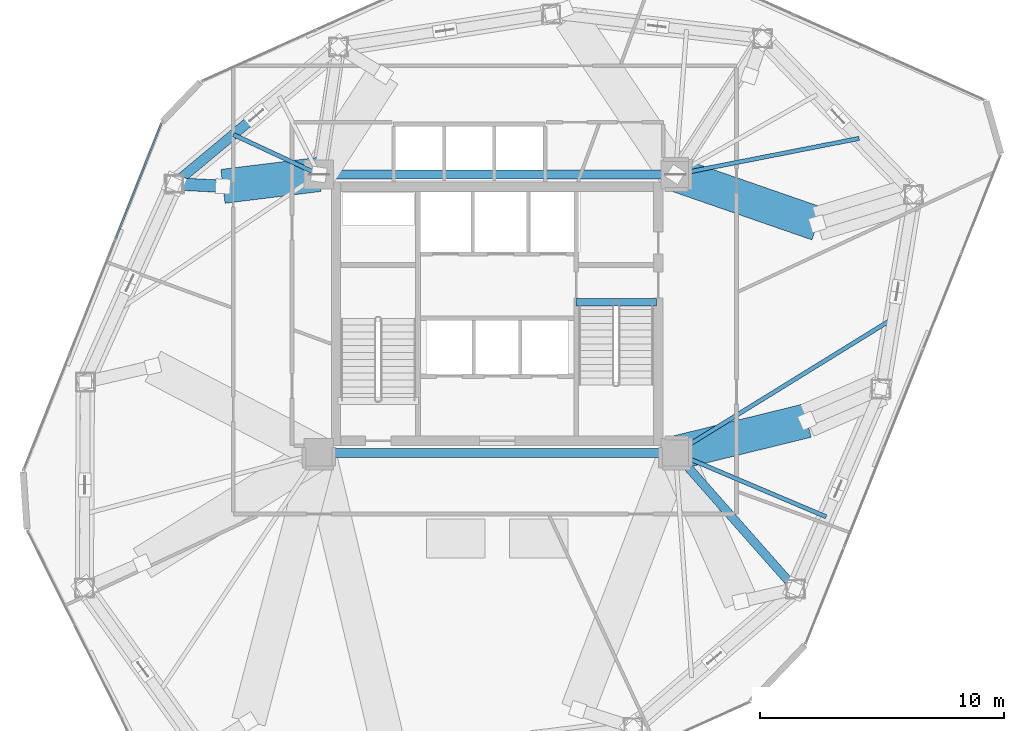
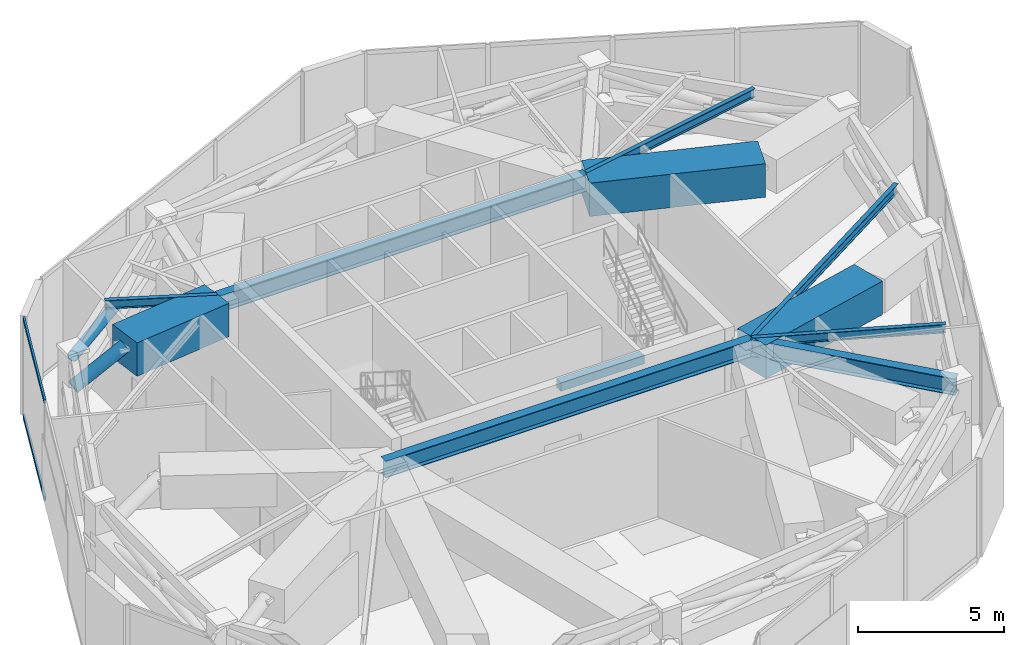
# One storey, part 9 of 21: 11 beams, 4 members, 1 element without a shape of its own.
"""IFC4 building model written with IfcOpenShell, lengths in metres."""

from ifc_helpers import new_model, si_unit, direction, frame, origin, origin_2d, place, context, subcontext, project, spatial, rectangle, hollow_rectangle, hollow_circle, i_section, extrude, source, transform, mapped, material, layer, layer_set, material_profile, profile_set, type_object, type_shapes, element, aggregate, save


model = new_model("IFC4")

# Units and contexts
model_context = context("Model", 3, precision=1e-05, world=origin(), true_north=direction((0.0, 1.0)))
body_context = subcontext(model_context, "Body", "Model", "MODEL_VIEW")
ifc_project = project(units=[si_unit("LENGTHUNIT", "METRE"), si_unit("AREAUNIT", "SQUARE_METRE"), si_unit("VOLUMEUNIT", "CUBIC_METRE"), si_unit("PLANEANGLEUNIT", "RADIAN"), si_unit("MASSUNIT", "GRAM", prefix="KILO")], contexts=[model_context])

# Site, building, storey
site_placement = place(None, origin())
site = spatial("IfcSite", under=ifc_project, at=site_placement, CompositionType="ELEMENT")
building_placement = place(site_placement, origin())
building = spatial("IfcBuilding", under=site, at=building_placement, Name="Talar Marvaseh", CompositionType="ELEMENT")
storey_placement = place(building_placement, frame((0.0, 0.0, 162.39990234375)))
storey = spatial("IfcBuildingStorey", under=building, at=storey_placement, Name="L42", CompositionType="ELEMENT", Elevation=162.39990234375)

# Beams
ifc_material_1 = material(Name="Concrete C40/50", Category="concrete")
ifc_material_profile_1 = material_profile(ifc_material_1, rectangle(XDim=0.300048828125, YDim=0.360107421875, at=origin_2d()), Name="RC300x360")
ifc_profile_set_1 = profile_set([ifc_material_profile_1], Name="Concrete C40/50")
beam_type_1 = type_object("IfcBeamType", Name="Concrete Stair Landing Trimmer Beam RC300x360", PredefinedType="SPANDREL", material=ifc_profile_set_1)
beam_1_placement = place(storey_placement, frame((29.219970703125, 31.669921875, -0.179931640625), z_axis=(1.0, 0.0, 0.0), x_axis=(0.0, 1.0, 0.0)))
element("IfcBeam", 1, at=beam_1_placement, inside=storey, type_object=beam_type_1, Name="L42 ST-2 Stair Nosing Trimmer Beam", PredefinedType="SPANDREL", context=body_context, shape_type="SweptSolid", body=[
    extrude(rectangle(XDim=0.300048828125, YDim=0.360107421875, at=origin_2d()), origin(), (0.0, 0.0, 1.0), 3.300048828125),
])
ifc_material_2 = material(Name="Concrete C70/85", Category="concrete")
ifc_material_profile_2 = material_profile(ifc_material_2, rectangle(XDim=1.39990234375, YDim=1.39990234375, at=origin_2d()), Name="RC1400x1400")
ifc_profile_set_2 = profile_set([ifc_material_profile_2], Name="Concrete C70/85")
beam_type_2 = type_object("IfcBeamType", Name="Setback Deep Concrete Transfer Girder RC1400x1400", PredefinedType="BEAM", material=ifc_profile_set_2)
beam_2_placement = place(storey_placement, frame((39.113037109375, 34.884033203125, 3.4501953125), z_axis=(-0.94480098975, 0.327644761544, 0.0), x_axis=(-0.327644761544, -0.94480098975, 0.0)))
element("IfcBeam", 2, at=beam_2_placement, inside=storey, type_object=beam_type_2, Name="L42 Setback Backspan Transfer Girder 3", PredefinedType="BEAM", context=body_context, shape_type="SweptSolid", body=[
    extrude(rectangle(XDim=1.39990234375, YDim=1.39990234375, at=origin_2d()), origin(), (0.0, 0.0, 1.0), 6.152587890625),
])
beam_3_placement = place(storey_placement, frame((38.68896484375, 26.823974609375, 3.4501953125), z_axis=(-0.971120507527, -0.238589521692, 0.0), x_axis=(0.238589521692, -0.971120507527, 0.0)))
element("IfcBeam", 3, at=beam_3_placement, inside=storey, type_object=beam_type_2, Name="L42 Setback Backspan Transfer Girder 4", PredefinedType="BEAM", context=body_context, shape_type="SweptSolid", body=[
    extrude(rectangle(XDim=1.39990234375, YDim=1.39990234375, at=origin_2d()), origin(), (0.0, 0.0, 1.0), 5.549072265625),
])
beam_4_placement = place(storey_placement, frame((14.77294921875, 36.416015625, 3.4501953125), z_axis=(0.99249373738, 0.122295467049, 0.0), x_axis=(-0.122295467049, 0.99249373738, 0.0)))
element("IfcBeam", 4, at=beam_4_placement, inside=storey, type_object=beam_type_2, Name="L42 Setback Backspan Transfer Girder 11", PredefinedType="BEAM", context=body_context, shape_type="SweptSolid", body=[
    extrude(rectangle(XDim=1.39990234375, YDim=1.39990234375, at=origin_2d()), origin(), (0.0, 0.0, 1.0), 3.956787109375),
])
ifc_material_3 = material(Name="Steel S355", Category="steel")
ifc_material_profile_3 = material_profile(ifc_material_3, i_section(OverallWidth=0.35498046875, OverallDepth=0.695068359375, WebThickness=0.015380859375, FlangeThickness=0.02490234375, at=origin_2d()), Name="W690x217")
ifc_profile_set_3 = profile_set([ifc_material_profile_3], Name="Steel S355")
beam_type_3 = type_object("IfcBeamType", Name="Zone 2 Radial Floor Girder W690x217", PredefinedType="BEAM", material=ifc_profile_set_3)
for number, where, z_axis, x_axis, name in (
    (5, (18.699951171875, 25.5, 3.802490234375), (1.0, 0.0, 0.0), (0.0, 1.0, 0.0), "L42 Zone 2 Radial Floor Girder W690x217"),
    (6, (18.699951171875, 36.89990234375, 3.802490234375), (1.0, 0.0, 0.0), (0.0, 1.0, 0.0), "L42 Zone 2 Radial Floor Girder W690x217"),
):
    element("IfcBeam", number, at=place(storey_placement, frame(where, z_axis=z_axis, x_axis=x_axis)), inside=storey, type_object=beam_type_3, Name=name, PredefinedType="BEAM", context=body_context, shape_type="SweptSolid", body=[
        extrude(i_section(OverallWidth=0.35498046875, OverallDepth=0.695068359375, WebThickness=0.015380859375, FlangeThickness=0.02490234375, at=origin_2d()), origin(), (0.0, 0.0, 1.0), 14.60009765625),
    ])
beam_5_placement = place(storey_placement, frame((38.2060546875, 19.94091796875, 3.802490234375), z_axis=(-0.661692423388, 0.749775390921, 0.0), x_axis=(-0.749775390921, -0.661692423388, 0.0)))
element("IfcBeam", 7, at=beam_5_placement, inside=storey, type_object=beam_type_3, Name="L42 Zone 2 Radial Floor Girder W690x217", PredefinedType="BEAM", context=body_context, shape_type="SweptSolid", body=[
    extrude(i_section(OverallWidth=0.35498046875, OverallDepth=0.695068359375, WebThickness=0.015380859375, FlangeThickness=0.02490234375, at=origin_2d()), origin(), (0.0, 0.0, 1.0), 7.414306640625),
])
ifc_material_profile_4 = material_profile(ifc_material_3, i_section(OverallWidth=0.172119140625, OverallDepth=0.35791015625, WebThickness=0.0078125, FlangeThickness=0.01318359375, at=origin_2d()), Name="W360x57")
ifc_profile_set_4 = profile_set([ifc_material_profile_4], Name="Steel S355")
beam_type_4 = type_object("IfcBeamType", Name="Zone 2 Secondary Floor Joist W360x57", PredefinedType="JOIST", material=ifc_profile_set_4)
beam_6_placement = place(storey_placement, frame((40.81982421875, 38.378173828125, 3.97119140625), z_axis=(-0.981219867447, -0.192892643011, 0.0), x_axis=(0.192892643011, -0.981219867447, 0.0)))
element("IfcBeam", 8, at=beam_6_placement, inside=storey, type_object=beam_type_4, Name="L42 Zone 2 Secondary Floor Joist W360x57", PredefinedType="JOIST", context=body_context, shape_type="SweptSolid", body=[
    extrude(i_section(OverallWidth=0.172119140625, OverallDepth=0.35791015625, WebThickness=0.0078125, FlangeThickness=0.01318359375, at=origin_2d()), origin(), (0.0, 0.0, 1.0), 7.663818359375),
])
beam_7_placement = place(storey_placement, frame((42.189697265625, 30.9892578125, 3.97119140625), z_axis=(-0.850858217646, -0.525395368712, 0.0), x_axis=(0.525395368712, -0.850858217646, 0.0)))
element("IfcBeam", 9, at=beam_7_placement, inside=storey, type_object=beam_type_4, Name="L42 Zone 2 Secondary Floor Joist W360x57", PredefinedType="JOIST", context=body_context, shape_type="SweptSolid", body=[
    extrude(i_section(OverallWidth=0.172119140625, OverallDepth=0.35791015625, WebThickness=0.0078125, FlangeThickness=0.01318359375, at=origin_2d()), origin(), (0.0, 0.0, 1.0), 10.44775390625),
])
beam_8_placement = place(storey_placement, frame((39.467041015625, 22.88818359375, 3.97119140625), z_axis=(-0.920822287071, 0.389982455546, 0.0), x_axis=(-0.389982455546, -0.920822287071, 0.0)))
element("IfcBeam", 10, at=beam_8_placement, inside=storey, type_object=beam_type_4, Name="L42 Zone 2 Secondary Floor Joist W360x57", PredefinedType="JOIST", context=body_context, shape_type="SweptSolid", body=[
    extrude(i_section(OverallWidth=0.172119140625, OverallDepth=0.35791015625, WebThickness=0.0078125, FlangeThickness=0.01318359375, at=origin_2d()), origin(), (0.0, 0.0, 1.0), 6.697265625),
])
beam_9_placement = place(storey_placement, frame((15.19970703125, 38.53515625, 3.97119140625), z_axis=(0.906003856895, -0.423269431086, 0.0), x_axis=(0.423269431086, 0.906003856895, 0.0)))
element("IfcBeam", 11, at=beam_9_placement, inside=storey, type_object=beam_type_4, Name="L42 Zone 2 Secondary Floor Joist W360x57", PredefinedType="JOIST", context=body_context, shape_type="SweptSolid", body=[
    extrude(i_section(OverallWidth=0.172119140625, OverallDepth=0.35791015625, WebThickness=0.0078125, FlangeThickness=0.01318359375, at=origin_2d()), origin(), (0.0, 0.0, 1.0), 3.86328125),
])

# Members
ifc_material_4 = material(Name="Steel S460", Category="steel")
ifc_material_profile_5 = material_profile(ifc_material_4, hollow_circle(Radius=0.25390625, WallThickness=0.02001953125, at=origin_2d()), Name="CHS508x20")
ifc_profile_set_5 = profile_set([ifc_material_profile_5], Name="Steel S460")
member_type_1 = type_object("IfcMemberType", Name="Crown Frame Diagonal Brace CHS508x20", PredefinedType="BRACE", material=ifc_profile_set_5)
shared_shape_1 = source(origin(), body_context, "Body", "SweptSolid", [
    extrude(hollow_circle(Radius=0.25390625, WallThickness=0.02001953125, at=origin_2d()), origin(), (0.0, 0.0, 1.0), 2.278564453125),
])
type_shapes(member_type_1, [shared_shape_1])
member_1_placement = place(storey_placement, frame((12.780029296875, 36.51708984375, 2.550048828125), z_axis=(0.874612715742, -0.044357425495, 0.482788790535), x_axis=(0.050651547718, 0.998716386525, 0.0)))
element("IfcMember", 12, at=member_1_placement, inside=storey, type_object=member_type_1, Name="L42 Setback Transfer Raked Strut 11", PredefinedType="BRACE", context=body_context, shape_type="MappedRepresentation", body=[
    mapped(shared_shape_1, transform((0.0, 0.0, 0.0), x_axis=(1.0, 0.0, 0.0), y_axis=(0.0, 1.0, 0.0), z_axis=(0.0, 0.0, 1.0), scale=1.0)),
])
ifc_material_profile_6 = material_profile(ifc_material_4, hollow_circle(Radius=0.203125, WallThickness=0.01611328125, at=origin_2d()), Name="CHS406x16")
ifc_profile_set_6 = profile_set([ifc_material_profile_6], Name="Steel S460")
member_type_2 = type_object("IfcMemberType", Name="Belt Truss Diagonal Brace CHS406x16", PredefinedType="BRACE", material=ifc_profile_set_6)
shared_shape_2 = source(origin(), body_context, "Body", "SweptSolid", [
    extrude(hollow_circle(Radius=0.203125, WallThickness=0.01611328125, at=origin_2d()), origin(), (0.0, 0.0, 1.0), 4.18798828125),
])
type_shapes(member_type_2, [shared_shape_2])
member_2_placement = place(storey_placement, frame((15.95849609375, 39.168212890625, 3.211669921875), z_axis=(-0.758960277931, -0.633040145791, 0.15244497479), x_axis=(0.640526647063, -0.767935944205, 0.0)))
element("IfcMember", 13, at=member_2_placement, inside=storey, type_object=member_type_2, Name="L42 Belt Truss Split Diagonal Upper 10", PredefinedType="BRACE", context=body_context, shape_type="MappedRepresentation", body=[
    mapped(shared_shape_2, transform((0.0, 0.0, 0.0), x_axis=(1.0, 0.0, 0.0), y_axis=(0.0, 1.0, 0.0), z_axis=(0.0, 0.0, 1.0), scale=1.0)),
])

# Curtain wall, members
ifc_material_5 = material(Name="Architectural Aluminium", Category="aluminium")
ifc_layer = layer(ifc_material_5, 0.199951171875)
ifc_layer_set = layer_set([ifc_layer], Name="Architectural Aluminium")
curtain_wall_type = type_object("IfcCurtainWallType", Name="Unitised Acoustic Library Curtain Wall Z2", PredefinedType="NOTDEFINED", material=ifc_layer_set)
curtain_wall_placement = place(storey_placement, origin())
curtain_wall = element("IfcCurtainWall", 14, at=curtain_wall_placement, inside=storey, type_object=curtain_wall_type, Name="L42 Unitised Acoustic Library Curtain Wall Z2", PredefinedType="NOTDEFINED")
ifc_material_profile_7 = material_profile(ifc_material_5, hollow_rectangle(XDim=0.074951171875, YDim=0.179931640625, WallThickness=0.0048828125, at=origin_2d()), Name="RHS180x75x5")
ifc_profile_set_7 = profile_set([ifc_material_profile_7], Name="Architectural Aluminium")
member_type_3 = type_object("IfcMemberType", Name="Unitised Curtain Wall Transom RHS180x75x5", PredefinedType="USERDEFINED", material=ifc_profile_set_7)
shared_shape_3 = source(origin(), body_context, "Body", "SweptSolid", [
    extrude(hollow_rectangle(XDim=0.074951171875, YDim=0.179931640625, WallThickness=0.0048828125, at=origin_2d()), origin(), (0.0, 0.0, 1.0), 5.017578125),
])
type_shapes(member_type_3, [shared_shape_3])
member_3_placement = place(storey_placement, frame((10.401611328125, 34.313720703125, 0.03759765625), z_axis=(0.36945197981, 0.929249823575, 0.0), x_axis=(-0.929249823575, 0.36945197981, 0.0)))
member_3 = element("IfcMember", 15, at=member_3_placement, type_object=member_type_3, Name="CW-Z2 transom 3.1", ObjectType="TRANSOM", PredefinedType="USERDEFINED", context=body_context, shape_type="MappedRepresentation", body=[
    mapped(shared_shape_3, transform((0.0, 0.0, 0.0), x_axis=(1.0, 0.0, 0.0), y_axis=(0.0, 1.0, 0.0), z_axis=(0.0, 0.0, 1.0), scale=1.0)),
])
member_4_placement = place(storey_placement, frame((10.401611328125, 34.313720703125, 4.112548828125), z_axis=(0.36945197981, 0.929249823575, 0.0), x_axis=(-0.929249823575, 0.36945197981, 0.0)))
member_4 = element("IfcMember", 16, at=member_4_placement, type_object=member_type_3, Name="CW-Z2 transom 3.2", ObjectType="TRANSOM", PredefinedType="USERDEFINED", context=body_context, shape_type="MappedRepresentation", body=[
    mapped(shared_shape_3, transform((0.0, 0.0, 0.0), x_axis=(1.0, 0.0, 0.0), y_axis=(0.0, 1.0, 0.0), z_axis=(0.0, 0.0, 1.0), scale=1.0)),
])
aggregate(curtain_wall, [member_3, member_4])

save(model, "model.ifc")
